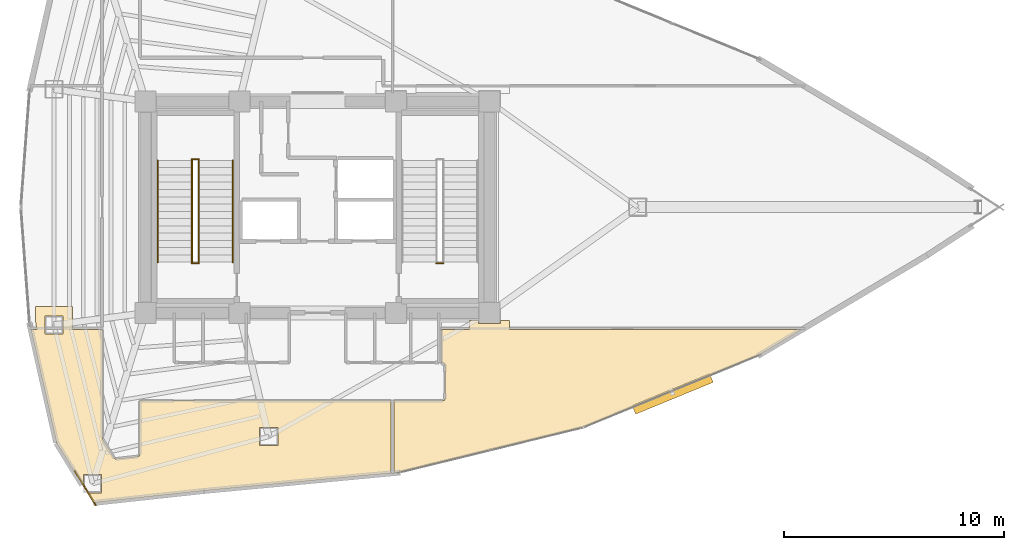
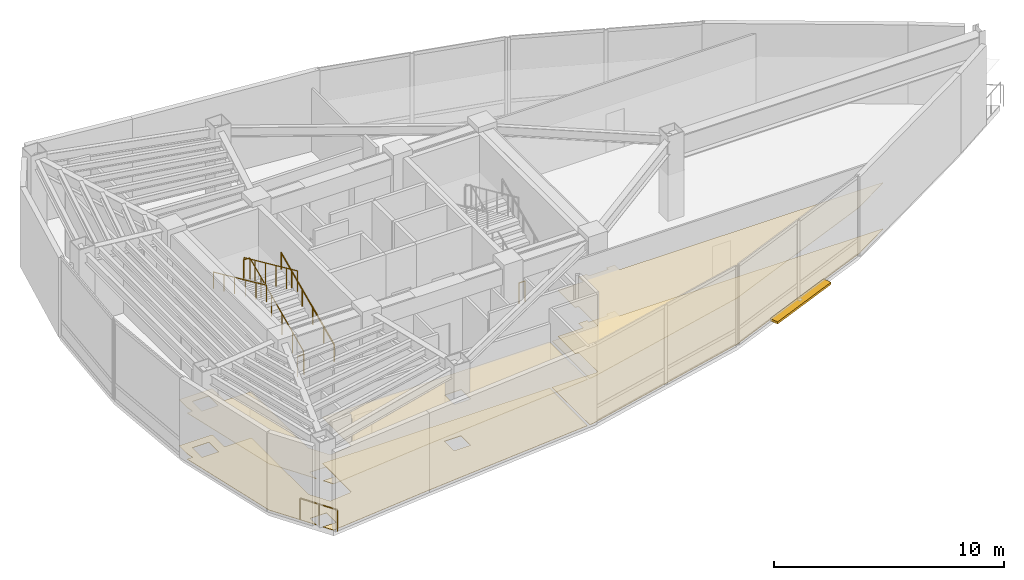
# One storey, part 16 of 17: 8 railings, 4 coverings, 1 shading device.
"""IFC4 building model written with IfcOpenShell, lengths in metres."""

from ifc_helpers import new_model, si_unit, direction, frame, origin, origin_2d, place, context, subcontext, project, spatial, polyline, rectangle, circle, outline, extrude, material, layer, layer_set, type_object, element, save


model = new_model("IFC4")

# Units and contexts
model_context = context("Model", 3, precision=1e-05, world=origin(), true_north=direction((0.0, 1.0)))
body_context = subcontext(model_context, "Body", "Model", "MODEL_VIEW")
ifc_project = project(units=[si_unit("LENGTHUNIT", "METRE"), si_unit("AREAUNIT", "SQUARE_METRE"), si_unit("VOLUMEUNIT", "CUBIC_METRE"), si_unit("PLANEANGLEUNIT", "RADIAN"), si_unit("MASSUNIT", "GRAM", prefix="KILO")], contexts=[model_context])

# Site, building, storey
site_placement = place(None, origin())
site = spatial("IfcSite", under=ifc_project, at=site_placement, CompositionType="ELEMENT")
building_placement = place(site_placement, origin())
building = spatial("IfcBuilding", under=site, at=building_placement, Name="Menara Vayukalpa", CompositionType="ELEMENT")
storey_placement = place(building_placement, frame((0.0, 0.0, 238.139892578125)))
storey = spatial("IfcBuildingStorey", under=building, at=storey_placement, Name="L60", CompositionType="ELEMENT", Elevation=238.139892578125)

# Coverings
ifc_material_1 = material(Name="Mineral Fibre Acoustic Ceiling Tile", Category="masonry")
ifc_layer_1 = layer(ifc_material_1, 0.02490234375)
ifc_layer_set_1 = layer_set([ifc_layer_1], Name="Mineral Fibre Acoustic Ceiling Tile")
covering_type_1 = type_object("IfcCoveringType", Name="COV-CLG1", PredefinedType="CEILING", material=ifc_layer_set_1)
covering_1_placement = place(storey_placement, frame((0.0, 0.0, 2.4501953125)))
element("IfcCovering", 1, at=covering_1_placement, inside=storey, type_object=covering_type_1, Name="L60 Skyline Exhibition Hall North Acoustic Ceiling", PredefinedType="CEILING", context=body_context, shape_type="SweptSolid", body=[
    extrude(outline(polyline([(15.427001953125, 8.587890625), (15.426025390625, 8.588134765625), (15.425048828125, 8.58837890625), (15.424072265625, 8.5888671875), (15.423095703125, 8.58935546875), (15.42236328125, 8.58984375), (15.42138671875, 8.59033203125), (15.420654296875, 8.591064453125), (15.420166015625, 8.591796875), (15.41943359375, 8.5927734375), (15.144775390625, 9.040283203125), (15.80419921875, 9.040283203125), (15.80419921875, 9.870361328125), (14.97412109375, 9.870361328125), (14.97412109375, 9.318359375), (13.752197265625, 11.30908203125), (13.751708984375, 11.31005859375), (13.751220703125, 11.31103515625), (13.7509765625, 11.31201171875), (12.599853515625, 16.427734375), (12.599853515625, 16.4287109375), (12.599609375, 16.4296875), (12.599609375, 16.430908203125), (12.599853515625, 16.431884765625), (12.60009765625, 16.4326171875), (12.600341796875, 16.43359375), (12.600830078125, 16.4345703125), (12.601318359375, 16.435302734375), (12.601806640625, 16.436279296875), (12.6025390625, 16.43701171875), (12.603271484375, 16.437744140625), (12.60400390625, 16.438232421875), (12.60498046875, 16.438720703125), (12.605712890625, 16.439208984375), (12.606689453125, 16.439697265625), (12.607666015625, 16.439697265625), (12.608642578125, 16.43994140625), (12.609619140625, 16.43994140625), (12.8740234375, 16.43994140625), (12.816650390625, 16.694580078125), (12.803955078125, 16.86376953125), (12.803955078125, 17.48828125), (14.47412109375, 17.48828125), (14.47412109375, 16.43994140625), (15.820068359375, 16.43994140625), (15.821044921875, 16.43994140625), (15.822021484375, 16.439697265625), (15.822998046875, 16.439697265625), (15.82373046875, 16.439208984375), (15.82470703125, 16.438720703125), (15.82568359375, 16.438232421875), (15.826416015625, 16.437744140625), (15.8271484375, 16.43701171875), (15.82763671875, 16.436279296875), (15.828369140625, 16.435546875), (15.828857421875, 16.434814453125), (15.8291015625, 16.433837890625), (15.82958984375, 16.432861328125), (15.829833984375, 16.431884765625), (15.830078125, 16.430908203125), (15.830078125, 16.429931640625), (15.830078125, 11.518798828125), (15.830322265625, 11.51220703125), (15.8310546875, 11.505615234375), (15.83251953125, 11.49951171875), (15.834716796875, 11.493408203125), (15.83740234375, 11.487548828125), (15.840576171875, 11.481689453125), (16.3740234375, 10.6123046875), (16.37841796875, 10.606201171875), (16.383056640625, 10.6005859375), (16.38818359375, 10.595703125), (16.393798828125, 10.59130859375), (16.39990234375, 10.587646484375), (16.406494140625, 10.58447265625), (16.4130859375, 10.581787109375), (16.419921875, 10.580078125), (16.42724609375, 10.5791015625), (16.43408203125, 10.57861328125), (16.441650390625, 10.5791015625), (17.46728515625, 10.6904296875), (17.474365234375, 10.691650390625), (17.48095703125, 10.693359375), (17.4873046875, 10.695556640625), (17.493408203125, 10.698486328125), (17.499267578125, 10.7021484375), (17.504638671875, 10.706298828125), (17.509765625, 10.7109375), (17.514404296875, 10.7158203125), (17.518310546875, 10.721435546875), (17.521728515625, 10.727294921875), (17.524658203125, 10.7333984375), (17.527099609375, 10.739990234375), (17.52880859375, 10.74658203125), (17.529541015625, 10.75341796875), (17.530029296875, 10.760498046875), (17.530029296875, 13.2099609375), (17.530029296875, 13.2109375), (17.5302734375, 13.2119140625), (17.530517578125, 13.212890625), (17.53076171875, 13.2138671875), (17.53125, 13.214599609375), (17.53173828125, 13.215576171875), (17.5322265625, 13.21630859375), (17.532958984375, 13.217041015625), (17.53369140625, 13.2177734375), (17.534423828125, 13.21826171875), (17.535400390625, 13.21875), (17.5361328125, 13.21923828125), (17.537109375, 13.219482421875), (17.5380859375, 13.2197265625), (17.5390625, 13.219970703125), (17.5400390625, 13.219970703125), (28.929931640625, 13.219970703125), (28.930908203125, 13.219970703125), (28.931884765625, 13.2197265625), (28.932861328125, 13.219482421875), (28.933837890625, 13.21923828125), (28.934814453125, 13.21875), (28.935546875, 13.21826171875), (28.936279296875, 13.2177734375), (28.93701171875, 13.217041015625), (28.937744140625, 13.21630859375), (28.938232421875, 13.215576171875), (28.938720703125, 13.214599609375), (28.939208984375, 13.2138671875), (28.939697265625, 13.212890625), (28.939697265625, 13.2119140625), (28.93994140625, 13.2109375), (28.93994140625, 13.2099609375), (28.93994140625, 9.940185546875), (28.93994140625, 9.939208984375), (28.939697265625, 9.93798828125), (28.939697265625, 9.937255859375), (28.939208984375, 9.936279296875), (28.938720703125, 9.935302734375), (28.938232421875, 9.9345703125), (28.937744140625, 9.93359375), (28.93701171875, 9.93310546875), (28.936279296875, 9.932373046875), (28.935546875, 9.931884765625), (28.934814453125, 9.931396484375), (28.933837890625, 9.930908203125), (28.932861328125, 9.930419921875), (28.931884765625, 9.930419921875), (28.930908203125, 9.93017578125), (20.443603515625, 9.1328125), (20.443115234375, 9.1328125), (15.42919921875, 8.588134765625), (15.427978515625, 8.587890625), (15.427001953125, 8.587890625)]), holes=[polyline([(14.053955078125, 17.068359375), (13.22412109375, 17.068359375), (13.22412109375, 16.23828125), (14.053955078125, 16.23828125), (14.053955078125, 17.068359375)]), polyline([(23.796875, 12.01025390625), (22.966796875, 12.01025390625), (22.966796875, 11.18017578125), (23.796875, 11.18017578125), (23.796875, 12.01025390625)])]), origin(), (0.0, 0.0, 1.0), 0.02490234375),
])
covering_2_placement = place(storey_placement, frame((0.0, 0.0, 2.4501953125)))
element("IfcCovering", 2, at=covering_2_placement, inside=storey, type_object=covering_type_1, Name="L60 Sky Lookout Panorama Lounge West Acoustic Ceiling", PredefinedType="CEILING", context=body_context, shape_type="SweptSolid", body=[
    extrude(outline(polyline([(37.652099609375, 12.017333984375), (29.249755859375, 9.960205078125), (29.248291015625, 9.9599609375), (29.07080078125, 9.943115234375), (29.070068359375, 9.943115234375), (29.069091796875, 9.943359375), (29.068115234375, 9.943359375), (29.067138671875, 9.943603515625), (29.066162109375, 9.944091796875), (29.065185546875, 9.9443359375), (29.064453125, 9.94482421875), (29.063720703125, 9.945556640625), (29.06298828125, 9.946044921875), (29.062255859375, 9.947021484375), (29.061767578125, 9.94775390625), (29.061279296875, 9.948486328125), (29.060791015625, 9.949462890625), (29.060302734375, 9.9501953125), (29.060302734375, 9.951416015625), (29.06005859375, 9.9521484375), (29.06005859375, 9.953125), (29.06005859375, 13.2099609375), (29.06005859375, 13.2109375), (29.060302734375, 13.2119140625), (29.060302734375, 13.212890625), (29.060791015625, 13.2138671875), (29.061279296875, 13.214599609375), (29.061767578125, 13.215576171875), (29.062255859375, 13.21630859375), (29.06298828125, 13.217041015625), (29.063720703125, 13.2177734375), (29.064453125, 13.21826171875), (29.065185546875, 13.21875), (29.066162109375, 13.21923828125), (29.067138671875, 13.219482421875), (29.068115234375, 13.2197265625), (29.069091796875, 13.219970703125), (29.070068359375, 13.219970703125), (31.2998046875, 13.219970703125), (31.306884765625, 13.220458984375), (31.313720703125, 13.22119140625), (31.3203125, 13.222900390625), (31.326904296875, 13.225341796875), (31.3330078125, 13.228271484375), (31.3388671875, 13.231689453125), (31.344482421875, 13.236083984375), (31.349609375, 13.240478515625), (31.35400390625, 13.24560546875), (31.358154296875, 13.251220703125), (31.36181640625, 13.257080078125), (31.36474609375, 13.26318359375), (31.366943359375, 13.269775390625), (31.36865234375, 13.2763671875), (31.36962890625, 13.283203125), (31.3701171875, 13.290283203125), (31.3701171875, 14.849609375), (31.36962890625, 14.856689453125), (31.36865234375, 14.86376953125), (31.366943359375, 14.870361328125), (31.36474609375, 14.876708984375), (31.36181640625, 14.883056640625), (31.358154296875, 14.888916015625), (31.35400390625, 14.89453125), (31.349609375, 14.8994140625), (31.344482421875, 14.904052734375), (31.3388671875, 14.908203125), (31.3330078125, 14.911865234375), (31.326904296875, 14.914794921875), (31.3203125, 14.9169921875), (31.313720703125, 14.918701171875), (31.306884765625, 14.919677734375), (31.2998046875, 14.919921875), (31.219970703125, 14.919921875), (31.218994140625, 14.919921875), (31.218017578125, 14.920166015625), (31.217041015625, 14.92041015625), (31.21630859375, 14.9208984375), (31.21533203125, 14.921142578125), (31.21435546875, 14.921630859375), (31.213623046875, 14.92236328125), (31.212890625, 14.9228515625), (31.21240234375, 14.923583984375), (31.211669921875, 14.92431640625), (31.211181640625, 14.92529296875), (31.210693359375, 14.92626953125), (31.21044921875, 14.927001953125), (31.210205078125, 14.927978515625), (31.2099609375, 14.928955078125), (31.2099609375, 14.929931640625), (31.2099609375, 16.429931640625), (31.2099609375, 16.430908203125), (31.210205078125, 16.431884765625), (31.21044921875, 16.432861328125), (31.210693359375, 16.433837890625), (31.211181640625, 16.434814453125), (31.211669921875, 16.435546875), (31.21240234375, 16.436279296875), (31.212890625, 16.43701171875), (31.213623046875, 16.437744140625), (31.21435546875, 16.438232421875), (31.21533203125, 16.438720703125), (31.21630859375, 16.439208984375), (31.217041015625, 16.439697265625), (31.218017578125, 16.439697265625), (31.218994140625, 16.43994140625), (31.219970703125, 16.43994140625), (32.489990234375, 16.43994140625), (32.489990234375, 16.85009765625), (32.909912109375, 16.85009765625), (32.909912109375, 16.7099609375), (33.889892578125, 16.7099609375), (33.889892578125, 16.85009765625), (34.31005859375, 16.85009765625), (34.31005859375, 16.43994140625), (47.52783203125, 16.43994140625), (47.52880859375, 16.43994140625), (47.52978515625, 16.439697265625), (47.53076171875, 16.439697265625), (47.531494140625, 16.439208984375), (47.532470703125, 16.43896484375), (47.533203125, 16.4384765625), (47.5341796875, 16.437744140625), (47.534912109375, 16.437255859375), (47.535400390625, 16.4365234375), (47.535888671875, 16.435791015625), (47.53662109375, 16.434814453125), (47.537109375, 16.43408203125), (47.537353515625, 16.43310546875), (47.53759765625, 16.43212890625), (47.53759765625, 16.43115234375), (47.537841796875, 16.430419921875), (47.537841796875, 16.42919921875), (47.53759765625, 16.42822265625), (47.53759765625, 16.427490234375), (47.537109375, 16.426513671875), (47.536865234375, 16.425537109375), (47.536376953125, 16.4248046875), (47.535888671875, 16.424072265625), (47.53515625, 16.423095703125), (47.534423828125, 16.422607421875), (47.53369140625, 16.421875), (47.532958984375, 16.42138671875), (45.656494140625, 15.305908203125), (45.655029296875, 15.305419921875), (37.653564453125, 12.017822265625), (37.65283203125, 12.017578125), (37.652099609375, 12.017333984375)])), origin(), (0.0, 0.0, 1.0), 0.02490234375),
])
ifc_material_2 = material(Name="Porcelain Stoneware Floor Tile", Category="masonry")
ifc_layer_2 = layer(ifc_material_2, 0.02001953125)
ifc_layer_set_2 = layer_set([ifc_layer_2], Name="Porcelain Stoneware Floor Tile")
covering_type_2 = type_object("IfcCoveringType", Name="COV-FLR1", PredefinedType="FLOORING", material=ifc_layer_set_2)
covering_3_placement = place(storey_placement, origin())
element("IfcCovering", 3, at=covering_3_placement, inside=storey, type_object=covering_type_2, Name="L60 Skyline Exhibition Hall North Porcelain Flooring", PredefinedType="FLOORING", context=body_context, shape_type="SweptSolid", body=[
    extrude(outline(polyline([(15.427001953125, 8.587890625), (15.426025390625, 8.588134765625), (15.425048828125, 8.58837890625), (15.424072265625, 8.5888671875), (15.423095703125, 8.58935546875), (15.42236328125, 8.58984375), (15.42138671875, 8.59033203125), (15.420654296875, 8.591064453125), (15.420166015625, 8.591796875), (15.41943359375, 8.5927734375), (15.144775390625, 9.040283203125), (15.80419921875, 9.040283203125), (15.80419921875, 9.870361328125), (14.97412109375, 9.870361328125), (14.97412109375, 9.318359375), (13.752197265625, 11.30908203125), (13.751708984375, 11.31005859375), (13.751220703125, 11.31103515625), (13.7509765625, 11.31201171875), (12.599853515625, 16.427734375), (12.599853515625, 16.4287109375), (12.599609375, 16.4296875), (12.599609375, 16.430908203125), (12.599853515625, 16.431884765625), (12.60009765625, 16.4326171875), (12.600341796875, 16.43359375), (12.600830078125, 16.4345703125), (12.601318359375, 16.435302734375), (12.601806640625, 16.436279296875), (12.6025390625, 16.43701171875), (12.603271484375, 16.437744140625), (12.60400390625, 16.438232421875), (12.60498046875, 16.438720703125), (12.605712890625, 16.439208984375), (12.606689453125, 16.439697265625), (12.607666015625, 16.439697265625), (12.608642578125, 16.43994140625), (12.609619140625, 16.43994140625), (12.8740234375, 16.43994140625), (12.816650390625, 16.694580078125), (12.803955078125, 16.86376953125), (12.803955078125, 17.48828125), (14.47412109375, 17.48828125), (14.47412109375, 16.43994140625), (15.820068359375, 16.43994140625), (15.821044921875, 16.43994140625), (15.822021484375, 16.439697265625), (15.822998046875, 16.439697265625), (15.82373046875, 16.439208984375), (15.82470703125, 16.438720703125), (15.82568359375, 16.438232421875), (15.826416015625, 16.437744140625), (15.8271484375, 16.43701171875), (15.82763671875, 16.436279296875), (15.828369140625, 16.435546875), (15.828857421875, 16.434814453125), (15.8291015625, 16.433837890625), (15.82958984375, 16.432861328125), (15.829833984375, 16.431884765625), (15.830078125, 16.430908203125), (15.830078125, 16.429931640625), (15.830078125, 11.518798828125), (15.830322265625, 11.51220703125), (15.8310546875, 11.505615234375), (15.83251953125, 11.49951171875), (15.834716796875, 11.493408203125), (15.83740234375, 11.487548828125), (15.840576171875, 11.481689453125), (16.3740234375, 10.6123046875), (16.37841796875, 10.606201171875), (16.383056640625, 10.6005859375), (16.38818359375, 10.595703125), (16.393798828125, 10.59130859375), (16.39990234375, 10.587646484375), (16.406494140625, 10.58447265625), (16.4130859375, 10.581787109375), (16.419921875, 10.580078125), (16.42724609375, 10.5791015625), (16.43408203125, 10.57861328125), (16.441650390625, 10.5791015625), (17.46728515625, 10.6904296875), (17.474365234375, 10.691650390625), (17.48095703125, 10.693359375), (17.4873046875, 10.695556640625), (17.493408203125, 10.698486328125), (17.499267578125, 10.7021484375), (17.504638671875, 10.706298828125), (17.509765625, 10.7109375), (17.514404296875, 10.7158203125), (17.518310546875, 10.721435546875), (17.521728515625, 10.727294921875), (17.524658203125, 10.7333984375), (17.527099609375, 10.739990234375), (17.52880859375, 10.74658203125), (17.529541015625, 10.75341796875), (17.530029296875, 10.760498046875), (17.530029296875, 13.2099609375), (17.530029296875, 13.2109375), (17.5302734375, 13.2119140625), (17.530517578125, 13.212890625), (17.53076171875, 13.2138671875), (17.53125, 13.214599609375), (17.53173828125, 13.215576171875), (17.5322265625, 13.21630859375), (17.532958984375, 13.217041015625), (17.53369140625, 13.2177734375), (17.534423828125, 13.21826171875), (17.535400390625, 13.21875), (17.5361328125, 13.21923828125), (17.537109375, 13.219482421875), (17.5380859375, 13.2197265625), (17.5390625, 13.219970703125), (17.5400390625, 13.219970703125), (28.929931640625, 13.219970703125), (28.930908203125, 13.219970703125), (28.931884765625, 13.2197265625), (28.932861328125, 13.219482421875), (28.933837890625, 13.21923828125), (28.934814453125, 13.21875), (28.935546875, 13.21826171875), (28.936279296875, 13.2177734375), (28.93701171875, 13.217041015625), (28.937744140625, 13.21630859375), (28.938232421875, 13.215576171875), (28.938720703125, 13.214599609375), (28.939208984375, 13.2138671875), (28.939697265625, 13.212890625), (28.939697265625, 13.2119140625), (28.93994140625, 13.2109375), (28.93994140625, 13.2099609375), (28.93994140625, 9.940185546875), (28.93994140625, 9.939208984375), (28.939697265625, 9.93798828125), (28.939697265625, 9.937255859375), (28.939208984375, 9.936279296875), (28.938720703125, 9.935302734375), (28.938232421875, 9.9345703125), (28.937744140625, 9.93359375), (28.93701171875, 9.93310546875), (28.936279296875, 9.932373046875), (28.935546875, 9.931884765625), (28.934814453125, 9.931396484375), (28.933837890625, 9.930908203125), (28.932861328125, 9.930419921875), (28.931884765625, 9.930419921875), (28.930908203125, 9.93017578125), (20.443603515625, 9.1328125), (20.443115234375, 9.1328125), (15.42919921875, 8.588134765625), (15.427978515625, 8.587890625), (15.427001953125, 8.587890625)]), holes=[polyline([(14.053955078125, 17.068359375), (13.22412109375, 17.068359375), (13.22412109375, 16.23828125), (14.053955078125, 16.23828125), (14.053955078125, 17.068359375)]), polyline([(23.796875, 12.01025390625), (22.966796875, 12.01025390625), (22.966796875, 11.18017578125), (23.796875, 11.18017578125), (23.796875, 12.01025390625)])]), origin(), (0.0, 0.0, 1.0), 0.02001953125),
])
covering_4_placement = place(storey_placement, origin())
element("IfcCovering", 4, at=covering_4_placement, inside=storey, type_object=covering_type_2, Name="L60 Sky Lookout Panorama Lounge West Porcelain Flooring", PredefinedType="FLOORING", context=body_context, shape_type="SweptSolid", body=[
    extrude(outline(polyline([(37.652099609375, 12.017333984375), (29.249755859375, 9.960205078125), (29.248291015625, 9.9599609375), (29.07080078125, 9.943115234375), (29.070068359375, 9.943115234375), (29.069091796875, 9.943359375), (29.068115234375, 9.943359375), (29.067138671875, 9.943603515625), (29.066162109375, 9.944091796875), (29.065185546875, 9.9443359375), (29.064453125, 9.94482421875), (29.063720703125, 9.945556640625), (29.06298828125, 9.946044921875), (29.062255859375, 9.947021484375), (29.061767578125, 9.94775390625), (29.061279296875, 9.948486328125), (29.060791015625, 9.949462890625), (29.060302734375, 9.9501953125), (29.060302734375, 9.951416015625), (29.06005859375, 9.9521484375), (29.06005859375, 9.953125), (29.06005859375, 13.2099609375), (29.06005859375, 13.2109375), (29.060302734375, 13.2119140625), (29.060302734375, 13.212890625), (29.060791015625, 13.2138671875), (29.061279296875, 13.214599609375), (29.061767578125, 13.215576171875), (29.062255859375, 13.21630859375), (29.06298828125, 13.217041015625), (29.063720703125, 13.2177734375), (29.064453125, 13.21826171875), (29.065185546875, 13.21875), (29.066162109375, 13.21923828125), (29.067138671875, 13.219482421875), (29.068115234375, 13.2197265625), (29.069091796875, 13.219970703125), (29.070068359375, 13.219970703125), (31.2998046875, 13.219970703125), (31.306884765625, 13.220458984375), (31.313720703125, 13.22119140625), (31.3203125, 13.222900390625), (31.326904296875, 13.225341796875), (31.3330078125, 13.228271484375), (31.3388671875, 13.231689453125), (31.344482421875, 13.236083984375), (31.349609375, 13.240478515625), (31.35400390625, 13.24560546875), (31.358154296875, 13.251220703125), (31.36181640625, 13.257080078125), (31.36474609375, 13.26318359375), (31.366943359375, 13.269775390625), (31.36865234375, 13.2763671875), (31.36962890625, 13.283203125), (31.3701171875, 13.290283203125), (31.3701171875, 14.849609375), (31.36962890625, 14.856689453125), (31.36865234375, 14.86376953125), (31.366943359375, 14.870361328125), (31.36474609375, 14.876708984375), (31.36181640625, 14.883056640625), (31.358154296875, 14.888916015625), (31.35400390625, 14.89453125), (31.349609375, 14.8994140625), (31.344482421875, 14.904052734375), (31.3388671875, 14.908203125), (31.3330078125, 14.911865234375), (31.326904296875, 14.914794921875), (31.3203125, 14.9169921875), (31.313720703125, 14.918701171875), (31.306884765625, 14.919677734375), (31.2998046875, 14.919921875), (31.219970703125, 14.919921875), (31.218994140625, 14.919921875), (31.218017578125, 14.920166015625), (31.217041015625, 14.92041015625), (31.21630859375, 14.9208984375), (31.21533203125, 14.921142578125), (31.21435546875, 14.921630859375), (31.213623046875, 14.92236328125), (31.212890625, 14.9228515625), (31.21240234375, 14.923583984375), (31.211669921875, 14.92431640625), (31.211181640625, 14.92529296875), (31.210693359375, 14.92626953125), (31.21044921875, 14.927001953125), (31.210205078125, 14.927978515625), (31.2099609375, 14.928955078125), (31.2099609375, 14.929931640625), (31.2099609375, 16.429931640625), (31.2099609375, 16.430908203125), (31.210205078125, 16.431884765625), (31.21044921875, 16.432861328125), (31.210693359375, 16.433837890625), (31.211181640625, 16.434814453125), (31.211669921875, 16.435546875), (31.21240234375, 16.436279296875), (31.212890625, 16.43701171875), (31.213623046875, 16.437744140625), (31.21435546875, 16.438232421875), (31.21533203125, 16.438720703125), (31.21630859375, 16.439208984375), (31.217041015625, 16.439697265625), (31.218017578125, 16.439697265625), (31.218994140625, 16.43994140625), (31.219970703125, 16.43994140625), (32.489990234375, 16.43994140625), (32.489990234375, 16.85009765625), (32.909912109375, 16.85009765625), (32.909912109375, 16.7099609375), (33.889892578125, 16.7099609375), (33.889892578125, 16.85009765625), (34.31005859375, 16.85009765625), (34.31005859375, 16.43994140625), (47.52783203125, 16.43994140625), (47.52880859375, 16.43994140625), (47.52978515625, 16.439697265625), (47.53076171875, 16.439697265625), (47.531494140625, 16.439208984375), (47.532470703125, 16.43896484375), (47.533203125, 16.4384765625), (47.5341796875, 16.437744140625), (47.534912109375, 16.437255859375), (47.535400390625, 16.4365234375), (47.535888671875, 16.435791015625), (47.53662109375, 16.434814453125), (47.537109375, 16.43408203125), (47.537353515625, 16.43310546875), (47.53759765625, 16.43212890625), (47.53759765625, 16.43115234375), (47.537841796875, 16.430419921875), (47.537841796875, 16.42919921875), (47.53759765625, 16.42822265625), (47.53759765625, 16.427490234375), (47.537109375, 16.426513671875), (47.536865234375, 16.425537109375), (47.536376953125, 16.4248046875), (47.535888671875, 16.424072265625), (47.53515625, 16.423095703125), (47.534423828125, 16.422607421875), (47.53369140625, 16.421875), (47.532958984375, 16.42138671875), (45.656494140625, 15.305908203125), (45.655029296875, 15.305419921875), (37.653564453125, 12.017822265625), (37.65283203125, 12.017578125), (37.652099609375, 12.017333984375)])), origin(), (0.0, 0.0, 1.0), 0.02001953125),
])

# Railings
ifc_material_3 = material(Name="Laminated Glass and Stainless Steel 316 Guardrail", Category="steel")
railing_type_1 = type_object("IfcRailingType", Name="RLG-EXT115", PredefinedType="GUARDRAIL", material=ifc_material_3)
railing_1_placement = place(storey_placement, frame((14.579345703125, 10.037841796875, 0.0)))
element("IfcRailing", 5, at=railing_1_placement, inside=storey, type_object=railing_type_1, Name="L60 Column Corner Spandrel Guardrail 13-1", PredefinedType="GUARDRAIL", context=body_context, shape_type="SweptSolid", body=[
    extrude(circle(Radius=0.02392578125, at=origin_2d()), frame((0.0, 0.0, 1.1259765625), z_axis=(0.523171747284, -0.852227271826, 0.0), x_axis=(0.852227271826, 0.523171747284, 0.0)), (0.0, 0.0, 1.0), 1.840087890625),
    extrude(circle(Radius=0.02099609375, at=origin_2d()), origin(), (0.0, 0.0, 1.0), 1.101806640625),
    extrude(circle(Radius=0.02099609375, at=origin_2d()), frame((0.4814453125, -0.7841796875, 0.0)), (0.0, 0.0, 1.0), 1.101806640625),
    extrude(circle(Radius=0.02099609375, at=origin_2d()), frame((0.962646484375, -1.568115234375, 0.0)), (0.0, 0.0, 1.0), 1.101806640625),
])
ifc_material_4 = material(Name="Powder-Coated Galvanised Steel Guardrail", Category="steel")
railing_type_2 = type_object("IfcRailingType", Name="RLG-STG110", PredefinedType="GUARDRAIL", material=ifc_material_4)
railing_2_placement = place(storey_placement, frame((20.199951171875, 19.5, 0.150146484375)))
element("IfcRailing", 6, at=railing_2_placement, inside=storey, type_object=railing_type_2, Name="L60 ST-1 stair guard 1", PredefinedType="GUARDRAIL", context=body_context, shape_type="SweptSolid", body=[
    extrude(circle(Radius=0.02392578125, at=origin_2d()), frame((0.0, 0.0, 1.09619140625), z_axis=(0.0, 0.91038130445, 0.413770323377), x_axis=(-1.0, 0.0, 0.0)), (0.0, 0.0, 1.0), 5.074951171875),
    extrude(circle(Radius=0.02099609375, at=origin_2d()), origin(), (0.0, 0.0, 1.0), 1.072021484375),
    extrude(circle(Radius=0.02099609375, at=origin_2d()), frame((0.0, 0.924072265625, 0.419921875)), (0.0, 0.0, 1.0), 1.072021484375),
    extrude(circle(Radius=0.02099609375, at=origin_2d()), frame((0.0, 1.84814453125, 0.83984375)), (0.0, 0.0, 1.0), 1.072021484375),
    extrude(circle(Radius=0.02099609375, at=origin_2d()), frame((0.0, 2.77197265625, 1.260009765625)), (0.0, 0.0, 1.0), 1.072021484375),
    extrude(circle(Radius=0.02099609375, at=origin_2d()), frame((0.0, 3.696044921875, 1.679931640625)), (0.0, 0.0, 1.0), 1.072021484375),
    extrude(circle(Radius=0.02099609375, at=origin_2d()), frame((0.0, 4.6201171875, 2.099853515625)), (0.0, 0.0, 1.0), 1.072021484375),
])
railing_3_placement = place(storey_placement, frame((20.2099609375, 24.169921875, 2.25)))
element("IfcRailing", 7, at=railing_3_placement, inside=storey, type_object=railing_type_2, Name="L60 ST-1 stair guard 2", PredefinedType="GUARDRAIL", context=body_context, shape_type="SweptSolid", body=[
    extrude(circle(Radius=0.02392578125, at=origin_2d()), frame((0.0, 0.0, 1.09619140625), z_axis=(-1.0, 0.0, 0.0), x_axis=(0.0, -1.0, 0.0)), (0.0, 0.0, 1.0), 0.320068359375),
    extrude(circle(Radius=0.02099609375, at=origin_2d()), origin(), (0.0, 0.0, 1.0), 1.072021484375),
    extrude(circle(Radius=0.02099609375, at=origin_2d()), frame((-0.320068359375, 0.0, 0.0)), (0.0, 0.0, 1.0), 1.072021484375),
])
railing_4_placement = place(storey_placement, frame((19.89990234375, 24.1201171875, 2.400146484375)))
element("IfcRailing", 8, at=railing_4_placement, inside=storey, type_object=railing_type_2, Name="L60 ST-1 stair guard 3", PredefinedType="GUARDRAIL", context=body_context, shape_type="SweptSolid", body=[
    extrude(circle(Radius=0.02392578125, at=origin_2d()), frame((0.0, 0.0, 1.09619140625), z_axis=(0.0, -0.91038130445, 0.413770323377), x_axis=(1.0, 0.0, 0.0)), (0.0, 0.0, 1.0), 5.074951171875),
    extrude(circle(Radius=0.02099609375, at=origin_2d()), origin(), (0.0, 0.0, 1.0), 1.072021484375),
    extrude(circle(Radius=0.02099609375, at=origin_2d()), frame((0.0, -0.924072265625, 0.419921875)), (0.0, 0.0, 1.0), 1.072021484375),
    extrude(circle(Radius=0.02099609375, at=origin_2d()), frame((0.0, -1.84814453125, 0.83984375)), (0.0, 0.0, 1.0), 1.072021484375),
    extrude(circle(Radius=0.02099609375, at=origin_2d()), frame((0.0, -2.77197265625, 1.260009765625)), (0.0, 0.0, 1.0), 1.072021484375),
    extrude(circle(Radius=0.02099609375, at=origin_2d()), frame((0.0, -3.696044921875, 1.679931640625)), (0.0, 0.0, 1.0), 1.072021484375),
    extrude(circle(Radius=0.02099609375, at=origin_2d()), frame((0.0, -4.6201171875, 2.099853515625)), (0.0, 0.0, 1.0), 1.072021484375),
])
for number, where, name in (
    (9, (20.2099609375, 19.449951171875, 0.0), "L60 ST-1 stair guard 4"),
    (10, (31.31005859375, 19.449951171875, 0.0), "L60 ST-2 stair guard 4"),
):
    element("IfcRailing", number, at=place(storey_placement, frame(where)), inside=storey, type_object=railing_type_2, Name=name, PredefinedType="GUARDRAIL", context=body_context, shape_type="SweptSolid", body=[
        extrude(circle(Radius=0.02392578125, at=origin_2d()), frame((0.0, 0.0, 1.09619140625), z_axis=(-1.0, 0.0, 0.0), x_axis=(0.0, -1.0, 0.0)), (0.0, 0.0, 1.0), 0.320068359375),
        extrude(circle(Radius=0.02099609375, at=origin_2d()), origin(), (0.0, 0.0, 1.0), 1.072021484375),
        extrude(circle(Radius=0.02099609375, at=origin_2d()), frame((-0.320068359375, 0.0, 0.0)), (0.0, 0.0, 1.0), 1.072021484375),
    ])
ifc_material_5 = material(Name="Stainless Steel 316 Tubular Handrail", Category="steel")
railing_type_3 = type_object("IfcRailingType", Name="RLG-STH090", PredefinedType="HANDRAIL", material=ifc_material_5)
railing_5_placement = place(storey_placement, frame((21.75, 19.5, 0.150146484375)))
element("IfcRailing", 11, at=railing_5_placement, inside=storey, type_object=railing_type_3, Name="L60 ST-1 stair handrail 1", PredefinedType="HANDRAIL", context=body_context, shape_type="SweptSolid", body=[
    extrude(circle(Radius=0.02392578125, at=origin_2d()), frame((0.0, 0.0, 0.8759765625), z_axis=(0.0, 0.91038130445, 0.413770323377), x_axis=(-1.0, 0.0, 0.0)), (0.0, 0.0, 1.0), 5.074951171875),
    extrude(circle(Radius=0.02099609375, at=origin_2d()), origin(), (0.0, 0.0, 1.0), 0.851806640625),
    extrude(circle(Radius=0.02099609375, at=origin_2d()), frame((0.0, 0.924072265625, 0.419921875)), (0.0, 0.0, 1.0), 0.851806640625),
    extrude(circle(Radius=0.02099609375, at=origin_2d()), frame((0.0, 1.84814453125, 0.83984375)), (0.0, 0.0, 1.0), 0.851806640625),
    extrude(circle(Radius=0.02099609375, at=origin_2d()), frame((0.0, 2.77197265625, 1.260009765625)), (0.0, 0.0, 1.0), 0.851806640625),
    extrude(circle(Radius=0.02099609375, at=origin_2d()), frame((0.0, 3.696044921875, 1.679931640625)), (0.0, 0.0, 1.0), 0.851806640625),
    extrude(circle(Radius=0.02099609375, at=origin_2d()), frame((0.0, 4.6201171875, 2.099853515625)), (0.0, 0.0, 1.0), 0.851806640625),
])
railing_6_placement = place(storey_placement, frame((18.35009765625, 24.1201171875, 2.400146484375)))
element("IfcRailing", 12, at=railing_6_placement, inside=storey, type_object=railing_type_3, Name="L60 ST-1 stair handrail 2", PredefinedType="HANDRAIL", context=body_context, shape_type="SweptSolid", body=[
    extrude(circle(Radius=0.02392578125, at=origin_2d()), frame((0.0, 0.0, 0.8759765625), z_axis=(0.0, -0.91038130445, 0.413770323377), x_axis=(1.0, 0.0, 0.0)), (0.0, 0.0, 1.0), 5.074951171875),
    extrude(circle(Radius=0.02099609375, at=origin_2d()), origin(), (0.0, 0.0, 1.0), 0.851806640625),
    extrude(circle(Radius=0.02099609375, at=origin_2d()), frame((0.0, -0.924072265625, 0.419921875)), (0.0, 0.0, 1.0), 0.851806640625),
    extrude(circle(Radius=0.02099609375, at=origin_2d()), frame((0.0, -1.84814453125, 0.83984375)), (0.0, 0.0, 1.0), 0.851806640625),
    extrude(circle(Radius=0.02099609375, at=origin_2d()), frame((0.0, -2.77197265625, 1.260009765625)), (0.0, 0.0, 1.0), 0.851806640625),
    extrude(circle(Radius=0.02099609375, at=origin_2d()), frame((0.0, -3.696044921875, 1.679931640625)), (0.0, 0.0, 1.0), 0.851806640625),
    extrude(circle(Radius=0.02099609375, at=origin_2d()), frame((0.0, -4.6201171875, 2.099853515625)), (0.0, 0.0, 1.0), 0.851806640625),
])

# Shading device
ifc_material_6 = material(Name="Glazed Terracotta Ceramic Baguette Extrusion", Category="masonry")
ifc_layer_3 = layer(ifc_material_6, 0.1201171875)
ifc_layer_set_3 = layer_set([ifc_layer_3], Name="Glazed Terracotta Ceramic Baguette Extrusion")
shading_device_type = type_object("IfcShadingDeviceType", Name="SHD-SS1", PredefinedType="USERDEFINED", material=ifc_layer_set_3)
shading_device_placement = place(storey_placement, frame((41.71142578125, 13.52294921875, -0.099853515625), z_axis=(0.0, 0.0, 1.0), x_axis=(0.924971116436, 0.380037411, 0.0)))
element("IfcShadingDevice", 13, at=shading_device_placement, inside=storey, type_object=shading_device_type, Name="L60 Horizontal Terracotta Sunshade Band 17", ObjectType="SUNSHADE", PredefinedType="USERDEFINED", context=body_context, shape_type="SweptSolid", body=[
    extrude(rectangle(XDim=3.800048828125, YDim=0.419921875, at=origin_2d()), origin(), (0.0, 0.0, 1.0), 0.1201171875),
])

save(model, "model.ifc")
